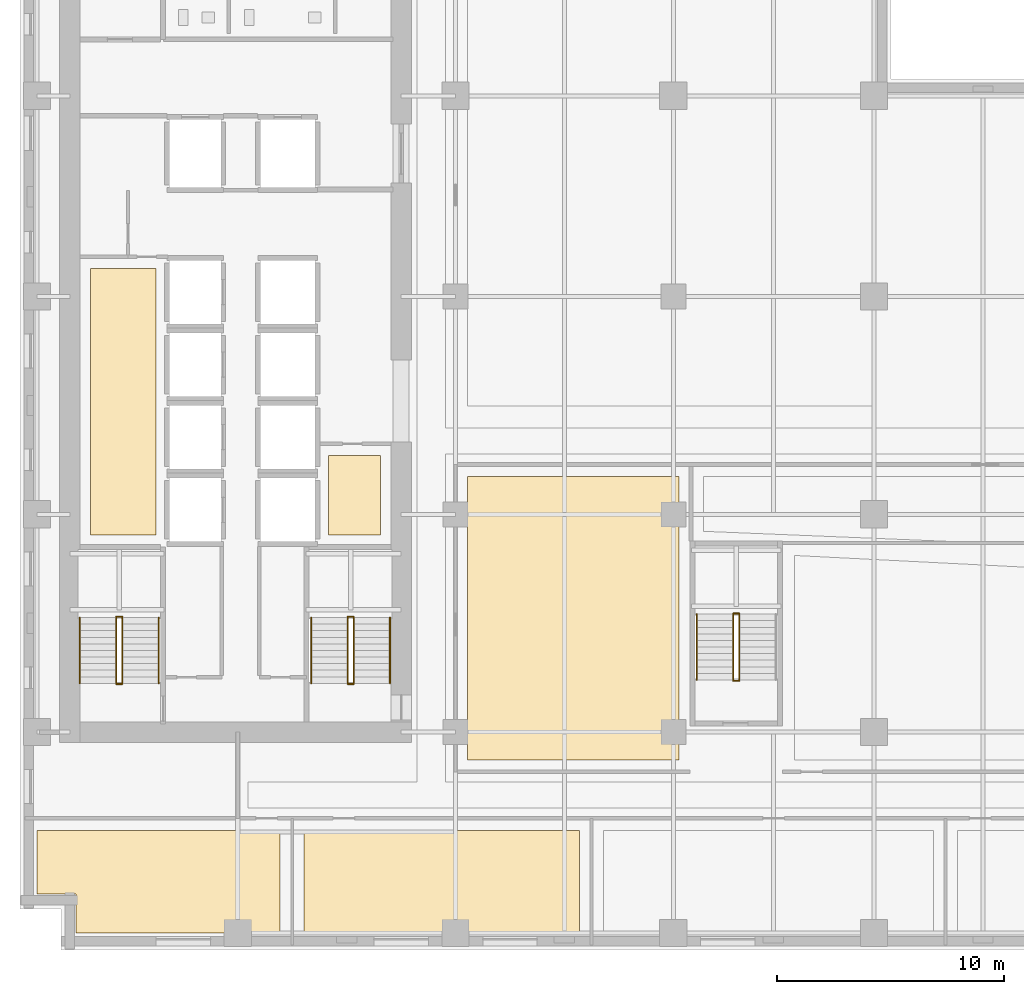
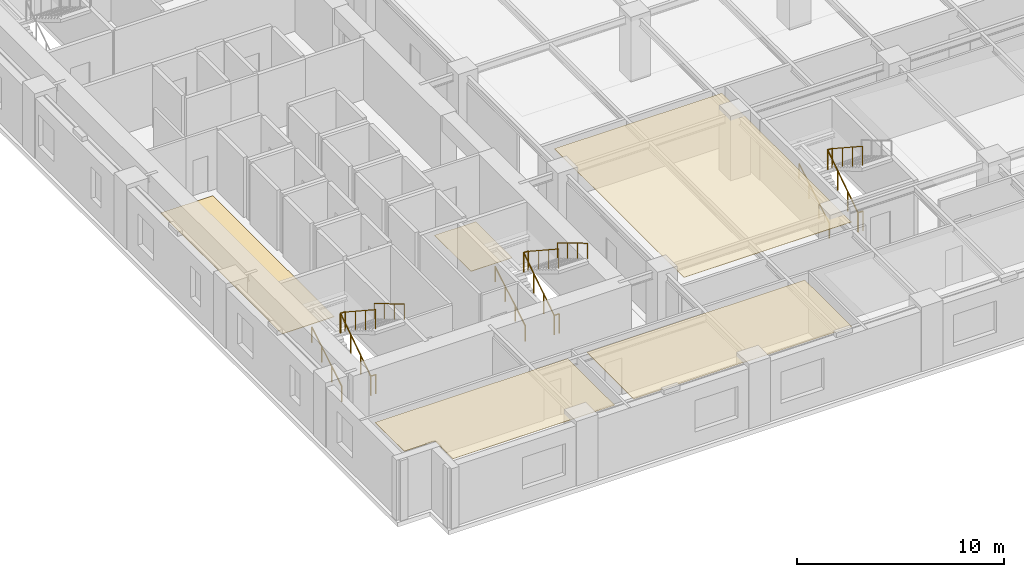
# One storey, part 9 of 13: 17 railings, 5 coverings.
"""IFC4 building model written with IfcOpenShell, lengths in metres."""

from ifc_helpers import new_model, si_unit, direction, frame, origin, origin_2d, place, context, subcontext, project, spatial, polyline, circle, outline, extrude, material, layer, layer_set, type_object, element, save


model = new_model("IFC4")

# Units and contexts
model_context = context("Model", 3, precision=1e-05, world=origin(), true_north=direction((0.0, 1.0)))
body_context = subcontext(model_context, "Body", "Model", "MODEL_VIEW")
ifc_project = project(units=[si_unit("LENGTHUNIT", "METRE"), si_unit("AREAUNIT", "SQUARE_METRE"), si_unit("VOLUMEUNIT", "CUBIC_METRE"), si_unit("PLANEANGLEUNIT", "RADIAN"), si_unit("MASSUNIT", "GRAM", prefix="KILO")], contexts=[model_context])

# Site, building, storey
site_placement = place(None, origin())
site = spatial("IfcSite", under=ifc_project, at=site_placement, CompositionType="ELEMENT")
building_placement = place(site_placement, origin())
building = spatial("IfcBuilding", under=site, at=building_placement, Name="Norrvale University Quadrangle", CompositionType="ELEMENT")
storey_placement = place(building_placement, frame((0.0, 0.0, 39.39990234375)))
storey = spatial("IfcBuildingStorey", under=building, at=storey_placement, Name="L09", CompositionType="ELEMENT", Elevation=39.39990234375)

# Coverings
ifc_material_1 = material(Name="Perforated Acoustic Mineral Ceiling")
ifc_layer_1 = layer(ifc_material_1, 0.02490234375, Name="Perforated Acoustic Mineral Ceiling")
ifc_layer_set_1 = layer_set([ifc_layer_1], Name="Perforated Acoustic Mineral Ceiling")
covering_type_1 = type_object("IfcCoveringType", Name="Covering Acoustic Ceiling 25", PredefinedType="CEILING", material=ifc_layer_set_1)
covering_1_placement = place(storey_placement, frame((0.0, 0.0, 3.51513671875)))
element("IfcCovering", 1, at=covering_1_placement, inside=storey, type_object=covering_type_1, Name="Acoustic Ceiling RM-L09-S01", PredefinedType="CEILING", context=body_context, shape_type="SweptSolid", body=[
    extrude(outline(polyline([(0.75, 5.27001953125), (11.469970703125, 5.27001953125), (11.469970703125, 0.75), (2.469970703125, 0.75), (2.469970703125, 2.469970703125), (0.75, 2.469970703125), (0.75, 5.27001953125)])), origin(), (0.0, 0.0, 1.0), 0.02490234375),
])
covering_2_placement = place(storey_placement, frame((0.0, 0.0, 3.51513671875)))
element("IfcCovering", 2, at=covering_2_placement, inside=storey, type_object=covering_type_1, Name="Acoustic Ceiling RM-L09-S02", PredefinedType="CEILING", context=body_context, shape_type="SweptSolid", body=[
    extrude(outline(polyline([(12.530029296875, 5.27001953125), (24.669921875, 5.27001953125), (24.669921875, 0.75), (12.530029296875, 0.75), (12.530029296875, 5.27001953125)])), origin(), (0.0, 0.0, 1.0), 0.02490234375),
])
covering_3_placement = place(storey_placement, frame((0.0, 0.0, 3.51513671875)))
element("IfcCovering", 3, at=covering_3_placement, inside=storey, type_object=covering_type_1, Name="Acoustic Ceiling RM-L09-IW1", PredefinedType="CEILING", context=body_context, shape_type="SweptSolid", body=[
    extrude(outline(polyline([(19.72998046875, 8.3798828125), (19.72998046875, 20.8701171875), (29.050048828125, 20.8701171875), (29.050048828125, 8.3798828125), (19.72998046875, 8.3798828125)])), origin(), (0.0, 0.0, 1.0), 0.02490234375),
])
ifc_material_2 = material(Name="Polished Terrazzo Flooring")
ifc_layer_2 = layer(ifc_material_2, 0.02490234375, Name="Polished Terrazzo Flooring")
ifc_layer_set_2 = layer_set([ifc_layer_2], Name="Polished Terrazzo Flooring")
covering_type_2 = type_object("IfcCoveringType", Name="Covering Terrazzo Floor 30", PredefinedType="FLOORING", material=ifc_layer_set_2)
covering_4_placement = place(storey_placement, origin())
element("IfcCovering", 4, at=covering_4_placement, inside=storey, type_object=covering_type_2, Name="Terrazzo Flooring RM-L09-JAN", PredefinedType="FLOORING", context=body_context, shape_type="SweptSolid", body=[
    extrude(outline(polyline([(13.60009765625, 18.300048828125), (13.60009765625, 21.800048828125), (15.89990234375, 21.800048828125), (15.89990234375, 18.300048828125), (13.60009765625, 18.300048828125)])), origin(), (0.0, 0.0, 1.0), 0.025146484375),
])
covering_5_placement = place(storey_placement, origin())
element("IfcCovering", 5, at=covering_5_placement, inside=storey, type_object=covering_type_2, Name="Terrazzo Flooring RM-L09-WSTOR", PredefinedType="FLOORING", context=body_context, shape_type="SweptSolid", body=[
    extrude(outline(polyline([(3.10009765625, 18.300048828125), (3.10009765625, 30.030029296875), (6.0, 30.030029296875), (6.0, 18.300048828125), (3.10009765625, 18.300048828125)])), origin(), (0.0, 0.0, 1.0), 0.025146484375),
])

# Railings
ifc_material_3 = material(Name="Steel 350W Painted Balustrade", Category="steel")
railing_type_1 = type_object("IfcRailingType", Name="Railing Stair Guard 1100", PredefinedType="GUARDRAIL", material=ifc_material_3)
for number, where, name in (
    (6, (4.239990234375, 11.719970703125, 0.0), "Stair Floor Well Guard ST-01 L09"),
    (7, (4.239990234375, 14.679931640625, 1.900146484375), "Stair Mid-Landing Slot Guard ST-01 L09"),
):
    element("IfcRailing", number, at=place(storey_placement, frame(where)), inside=storey, type_object=railing_type_1, Name=name, PredefinedType="GUARDRAIL", context=body_context, shape_type="SweptSolid", body=[
        extrude(circle(Radius=0.02392578125, at=origin_2d()), frame((0.0, 0.0, 1.1259765625), z_axis=(1.0, 0.0, 0.0), x_axis=(0.0, 1.0, 0.0)), (0.0, 0.0, 1.0), 0.27001953125),
        extrude(circle(Radius=0.02099609375, at=origin_2d()), origin(), (0.0, 0.0, 1.0), 1.101806640625),
        extrude(circle(Radius=0.02099609375, at=origin_2d()), frame((0.27001953125, 0.0, 0.0)), (0.0, 0.0, 1.0), 1.101806640625),
    ])
railing_1_placement = place(storey_placement, frame((4.239990234375, 11.75, 0.0)))
element("IfcRailing", 8, at=railing_1_placement, inside=storey, type_object=railing_type_1, Name="Stair Lower Flight Inner Guard ST-01 L09", PredefinedType="GUARDRAIL", context=body_context, shape_type="SweptSolid", body=[
    extrude(circle(Radius=0.02392578125, at=origin_2d()), frame((0.0, 0.0, 1.1259765625), z_axis=(0.0, 0.836433300813, 0.548068730445), x_axis=(-1.0, 0.0, 0.0)), (0.0, 0.0, 1.0), 3.467041015625),
    extrude(circle(Radius=0.02099609375, at=origin_2d()), origin(), (0.0, 0.0, 1.0), 1.101806640625),
    extrude(circle(Radius=0.02099609375, at=origin_2d()), frame((0.0, 0.966552734375, 0.63330078125)), (0.0, 0.0, 1.0), 1.101806640625),
    extrude(circle(Radius=0.02099609375, at=origin_2d()), frame((0.0, 1.933349609375, 1.266845703125)), (0.0, 0.0, 1.0), 1.101806640625),
    extrude(circle(Radius=0.02099609375, at=origin_2d()), frame((0.0, 2.89990234375, 1.900146484375)), (0.0, 0.0, 1.0), 1.101806640625),
])
railing_2_placement = place(storey_placement, frame((4.510009765625, 14.64990234375, 1.900146484375)))
element("IfcRailing", 9, at=railing_2_placement, inside=storey, type_object=railing_type_1, Name="Stair Upper Flight Inner Guard ST-01 L09", PredefinedType="GUARDRAIL", context=body_context, shape_type="SweptSolid", body=[
    extrude(circle(Radius=0.02392578125, at=origin_2d()), frame((0.0, 0.0, 1.1259765625), z_axis=(0.0, -0.836465582154, 0.548019461216), x_axis=(1.0, 0.0, 0.0)), (0.0, 0.0, 1.0), 3.466796875),
    extrude(circle(Radius=0.02099609375, at=origin_2d()), origin(), (0.0, 0.0, 1.0), 1.101806640625),
    extrude(circle(Radius=0.02099609375, at=origin_2d()), frame((0.0, -0.966552734375, 0.63330078125)), (0.0, 0.0, 1.0), 1.101806640625),
    extrude(circle(Radius=0.02099609375, at=origin_2d()), frame((0.0, -1.933349609375, 1.2666015625)), (0.0, 0.0, 1.0), 1.101806640625),
    extrude(circle(Radius=0.02099609375, at=origin_2d()), frame((0.0, -2.89990234375, 1.89990234375)), (0.0, 0.0, 1.0), 1.101806640625),
])
for number, where, name in (
    (10, (14.43994140625, 11.719970703125, 0.0), "Stair Floor Well Guard ST-03 L09"),
    (11, (14.43994140625, 14.679931640625, 1.900146484375), "Stair Mid-Landing Slot Guard ST-03 L09"),
):
    element("IfcRailing", number, at=place(storey_placement, frame(where)), inside=storey, type_object=railing_type_1, Name=name, PredefinedType="GUARDRAIL", context=body_context, shape_type="SweptSolid", body=[
        extrude(circle(Radius=0.02392578125, at=origin_2d()), frame((0.0, 0.0, 1.1259765625), z_axis=(1.0, 0.0, 0.0), x_axis=(0.0, 1.0, 0.0)), (0.0, 0.0, 1.0), 0.27001953125),
        extrude(circle(Radius=0.02099609375, at=origin_2d()), origin(), (0.0, 0.0, 1.0), 1.101806640625),
        extrude(circle(Radius=0.02099609375, at=origin_2d()), frame((0.27001953125, 0.0, 0.0)), (0.0, 0.0, 1.0), 1.101806640625),
    ])
railing_3_placement = place(storey_placement, frame((14.43994140625, 11.75, 0.0)))
element("IfcRailing", 12, at=railing_3_placement, inside=storey, type_object=railing_type_1, Name="Stair Lower Flight Inner Guard ST-03 L09", PredefinedType="GUARDRAIL", context=body_context, shape_type="SweptSolid", body=[
    extrude(circle(Radius=0.02392578125, at=origin_2d()), frame((0.0, 0.0, 1.1259765625), z_axis=(0.0, 0.836433300813, 0.548068730445), x_axis=(-1.0, 0.0, 0.0)), (0.0, 0.0, 1.0), 3.467041015625),
    extrude(circle(Radius=0.02099609375, at=origin_2d()), origin(), (0.0, 0.0, 1.0), 1.101806640625),
    extrude(circle(Radius=0.02099609375, at=origin_2d()), frame((0.0, 0.966552734375, 0.63330078125)), (0.0, 0.0, 1.0), 1.101806640625),
    extrude(circle(Radius=0.02099609375, at=origin_2d()), frame((0.0, 1.933349609375, 1.266845703125)), (0.0, 0.0, 1.0), 1.101806640625),
    extrude(circle(Radius=0.02099609375, at=origin_2d()), frame((0.0, 2.89990234375, 1.900146484375)), (0.0, 0.0, 1.0), 1.101806640625),
])
railing_4_placement = place(storey_placement, frame((14.7099609375, 14.64990234375, 1.900146484375)))
element("IfcRailing", 13, at=railing_4_placement, inside=storey, type_object=railing_type_1, Name="Stair Upper Flight Inner Guard ST-03 L09", PredefinedType="GUARDRAIL", context=body_context, shape_type="SweptSolid", body=[
    extrude(circle(Radius=0.02392578125, at=origin_2d()), frame((0.0, 0.0, 1.1259765625), z_axis=(0.0, -0.836465582154, 0.548019461216), x_axis=(1.0, 0.0, 0.0)), (0.0, 0.0, 1.0), 3.466796875),
    extrude(circle(Radius=0.02099609375, at=origin_2d()), origin(), (0.0, 0.0, 1.0), 1.101806640625),
    extrude(circle(Radius=0.02099609375, at=origin_2d()), frame((0.0, -0.966552734375, 0.63330078125)), (0.0, 0.0, 1.0), 1.101806640625),
    extrude(circle(Radius=0.02099609375, at=origin_2d()), frame((0.0, -1.933349609375, 1.2666015625)), (0.0, 0.0, 1.0), 1.101806640625),
    extrude(circle(Radius=0.02099609375, at=origin_2d()), frame((0.0, -2.89990234375, 1.89990234375)), (0.0, 0.0, 1.0), 1.101806640625),
])
for number, where, name in (
    (14, (31.43994140625, 11.8701171875, 0.0), "Stair Floor Well Guard ST-04 L09"),
    (15, (31.43994140625, 14.830078125, 1.900146484375), "Stair Mid-Landing Slot Guard ST-04 L09"),
):
    element("IfcRailing", number, at=place(storey_placement, frame(where)), inside=storey, type_object=railing_type_1, Name=name, PredefinedType="GUARDRAIL", context=body_context, shape_type="SweptSolid", body=[
        extrude(circle(Radius=0.02392578125, at=origin_2d()), frame((0.0, 0.0, 1.1259765625), z_axis=(1.0, 0.0, 0.0), x_axis=(0.0, 1.0, 0.0)), (0.0, 0.0, 1.0), 0.27001953125),
        extrude(circle(Radius=0.02099609375, at=origin_2d()), origin(), (0.0, 0.0, 1.0), 1.101806640625),
        extrude(circle(Radius=0.02099609375, at=origin_2d()), frame((0.27001953125, 0.0, 0.0)), (0.0, 0.0, 1.0), 1.101806640625),
    ])
railing_5_placement = place(storey_placement, frame((31.43994140625, 11.89990234375, 0.0)))
element("IfcRailing", 16, at=railing_5_placement, inside=storey, type_object=railing_type_1, Name="Stair Lower Flight Inner Guard ST-04 L09", PredefinedType="GUARDRAIL", context=body_context, shape_type="SweptSolid", body=[
    extrude(circle(Radius=0.02392578125, at=origin_2d()), frame((0.0, 0.0, 1.1259765625), z_axis=(0.0, 0.836454451266, 0.548036450392), x_axis=(-1.0, 0.0, 0.0)), (0.0, 0.0, 1.0), 3.46728515625),
    extrude(circle(Radius=0.02099609375, at=origin_2d()), origin(), (0.0, 0.0, 1.0), 1.101806640625),
    extrude(circle(Radius=0.02099609375, at=origin_2d()), frame((0.0, 0.966796875, 0.63330078125)), (0.0, 0.0, 1.0), 1.101806640625),
    extrude(circle(Radius=0.02099609375, at=origin_2d()), frame((0.0, 1.933349609375, 1.266845703125)), (0.0, 0.0, 1.0), 1.101806640625),
    extrude(circle(Radius=0.02099609375, at=origin_2d()), frame((0.0, 2.900146484375, 1.900146484375)), (0.0, 0.0, 1.0), 1.101806640625),
])
railing_6_placement = place(storey_placement, frame((31.7099609375, 14.800048828125, 1.900146484375)))
element("IfcRailing", 17, at=railing_6_placement, inside=storey, type_object=railing_type_1, Name="Stair Upper Flight Inner Guard ST-04 L09", PredefinedType="GUARDRAIL", context=body_context, shape_type="SweptSolid", body=[
    extrude(circle(Radius=0.02392578125, at=origin_2d()), frame((0.0, 0.0, 1.1259765625), z_axis=(0.0, -0.836486729621, 0.547987181573), x_axis=(1.0, 0.0, 0.0)), (0.0, 0.0, 1.0), 3.467041015625),
    extrude(circle(Radius=0.02099609375, at=origin_2d()), origin(), (0.0, 0.0, 1.0), 1.101806640625),
    extrude(circle(Radius=0.02099609375, at=origin_2d()), frame((0.0, -0.966796875, 0.63330078125)), (0.0, 0.0, 1.0), 1.101806640625),
    extrude(circle(Radius=0.02099609375, at=origin_2d()), frame((0.0, -1.933349609375, 1.2666015625)), (0.0, 0.0, 1.0), 1.101806640625),
    extrude(circle(Radius=0.02099609375, at=origin_2d()), frame((0.0, -2.900146484375, 1.89990234375)), (0.0, 0.0, 1.0), 1.101806640625),
])
ifc_material_4 = material(Name="Stainless Steel 316L Handrail", Category="steel")
railing_type_2 = type_object("IfcRailingType", Name="Railing Stair Handrail 920", PredefinedType="HANDRAIL", material=ifc_material_4)
railing_7_placement = place(storey_placement, frame((2.639892578125, 11.75, 0.1728515625)))
element("IfcRailing", 18, at=railing_7_placement, inside=storey, type_object=railing_type_2, Name="Stair Lower Flight Handrail ST-01 L09", PredefinedType="HANDRAIL", context=body_context, shape_type="SweptSolid", body=[
    extrude(circle(Radius=0.02392578125, at=origin_2d()), frame((0.0, 0.0, 0.89599609375), z_axis=(0.0, 0.859141464434, 0.511738159696), x_axis=(-1.0, 0.0, 0.0)), (0.0, 0.0, 1.0), 3.375244140625),
    extrude(circle(Radius=0.02099609375, at=origin_2d()), origin(), (0.0, 0.0, 1.0), 0.871826171875),
    extrude(circle(Radius=0.02099609375, at=origin_2d()), frame((0.0, 0.966552734375, 0.57568359375)), (0.0, 0.0, 1.0), 0.871826171875),
    extrude(circle(Radius=0.02099609375, at=origin_2d()), frame((0.0, 1.933349609375, 1.151611328125)), (0.0, 0.0, 1.0), 0.871826171875),
    extrude(circle(Radius=0.02099609375, at=origin_2d()), frame((0.0, 2.89990234375, 1.727294921875)), (0.0, 0.0, 1.0), 0.871826171875),
])
railing_8_placement = place(storey_placement, frame((6.110107421875, 14.64990234375, 2.07275390625)))
element("IfcRailing", 19, at=railing_8_placement, inside=storey, type_object=railing_type_2, Name="Stair Upper Flight Handrail ST-01 L09", PredefinedType="HANDRAIL", context=body_context, shape_type="SweptSolid", body=[
    extrude(circle(Radius=0.02392578125, at=origin_2d()), frame((0.0, 0.0, 0.89599609375), z_axis=(0.0, -0.859141464434, 0.511738159696), x_axis=(1.0, 0.0, 0.0)), (0.0, 0.0, 1.0), 3.375244140625),
    extrude(circle(Radius=0.02099609375, at=origin_2d()), origin(), (0.0, 0.0, 1.0), 0.871826171875),
    extrude(circle(Radius=0.02099609375, at=origin_2d()), frame((0.0, -0.966552734375, 0.57568359375)), (0.0, 0.0, 1.0), 0.871826171875),
    extrude(circle(Radius=0.02099609375, at=origin_2d()), frame((0.0, -1.933349609375, 1.151611328125)), (0.0, 0.0, 1.0), 0.871826171875),
    extrude(circle(Radius=0.02099609375, at=origin_2d()), frame((0.0, -2.89990234375, 1.727294921875)), (0.0, 0.0, 1.0), 0.871826171875),
])
railing_9_placement = place(storey_placement, frame((12.840087890625, 11.75, 0.1728515625)))
element("IfcRailing", 20, at=railing_9_placement, inside=storey, type_object=railing_type_2, Name="Stair Lower Flight Handrail ST-03 L09", PredefinedType="HANDRAIL", context=body_context, shape_type="SweptSolid", body=[
    extrude(circle(Radius=0.02392578125, at=origin_2d()), frame((0.0, 0.0, 0.89599609375), z_axis=(0.0, 0.859141464434, 0.511738159696), x_axis=(-1.0, 0.0, 0.0)), (0.0, 0.0, 1.0), 3.375244140625),
    extrude(circle(Radius=0.02099609375, at=origin_2d()), origin(), (0.0, 0.0, 1.0), 0.871826171875),
    extrude(circle(Radius=0.02099609375, at=origin_2d()), frame((0.0, 0.966552734375, 0.57568359375)), (0.0, 0.0, 1.0), 0.871826171875),
    extrude(circle(Radius=0.02099609375, at=origin_2d()), frame((0.0, 1.933349609375, 1.151611328125)), (0.0, 0.0, 1.0), 0.871826171875),
    extrude(circle(Radius=0.02099609375, at=origin_2d()), frame((0.0, 2.89990234375, 1.727294921875)), (0.0, 0.0, 1.0), 0.871826171875),
])
railing_10_placement = place(storey_placement, frame((16.31005859375, 14.64990234375, 2.07275390625)))
element("IfcRailing", 21, at=railing_10_placement, inside=storey, type_object=railing_type_2, Name="Stair Upper Flight Handrail ST-03 L09", PredefinedType="HANDRAIL", context=body_context, shape_type="SweptSolid", body=[
    extrude(circle(Radius=0.02392578125, at=origin_2d()), frame((0.0, 0.0, 0.89599609375), z_axis=(0.0, -0.859141464434, 0.511738159696), x_axis=(1.0, 0.0, 0.0)), (0.0, 0.0, 1.0), 3.375244140625),
    extrude(circle(Radius=0.02099609375, at=origin_2d()), origin(), (0.0, 0.0, 1.0), 0.871826171875),
    extrude(circle(Radius=0.02099609375, at=origin_2d()), frame((0.0, -0.966552734375, 0.57568359375)), (0.0, 0.0, 1.0), 0.871826171875),
    extrude(circle(Radius=0.02099609375, at=origin_2d()), frame((0.0, -1.933349609375, 1.151611328125)), (0.0, 0.0, 1.0), 0.871826171875),
    extrude(circle(Radius=0.02099609375, at=origin_2d()), frame((0.0, -2.89990234375, 1.727294921875)), (0.0, 0.0, 1.0), 0.871826171875),
])
railing_11_placement = place(storey_placement, frame((29.840087890625, 11.89990234375, 0.1728515625)))
element("IfcRailing", 22, at=railing_11_placement, inside=storey, type_object=railing_type_2, Name="Stair Lower Flight Handrail ST-04 L09", PredefinedType="HANDRAIL", context=body_context, shape_type="SweptSolid", body=[
    extrude(circle(Radius=0.02392578125, at=origin_2d()), frame((0.0, 0.0, 0.89599609375), z_axis=(0.0, 0.859160404282, 0.51170636083), x_axis=(-1.0, 0.0, 0.0)), (0.0, 0.0, 1.0), 3.37548828125),
    extrude(circle(Radius=0.02099609375, at=origin_2d()), origin(), (0.0, 0.0, 1.0), 0.871826171875),
    extrude(circle(Radius=0.02099609375, at=origin_2d()), frame((0.0, 0.966796875, 0.57568359375)), (0.0, 0.0, 1.0), 0.871826171875),
    extrude(circle(Radius=0.02099609375, at=origin_2d()), frame((0.0, 1.933349609375, 1.151611328125)), (0.0, 0.0, 1.0), 0.871826171875),
    extrude(circle(Radius=0.02099609375, at=origin_2d()), frame((0.0, 2.900146484375, 1.727294921875)), (0.0, 0.0, 1.0), 0.871826171875),
])

save(model, "model.ifc")
